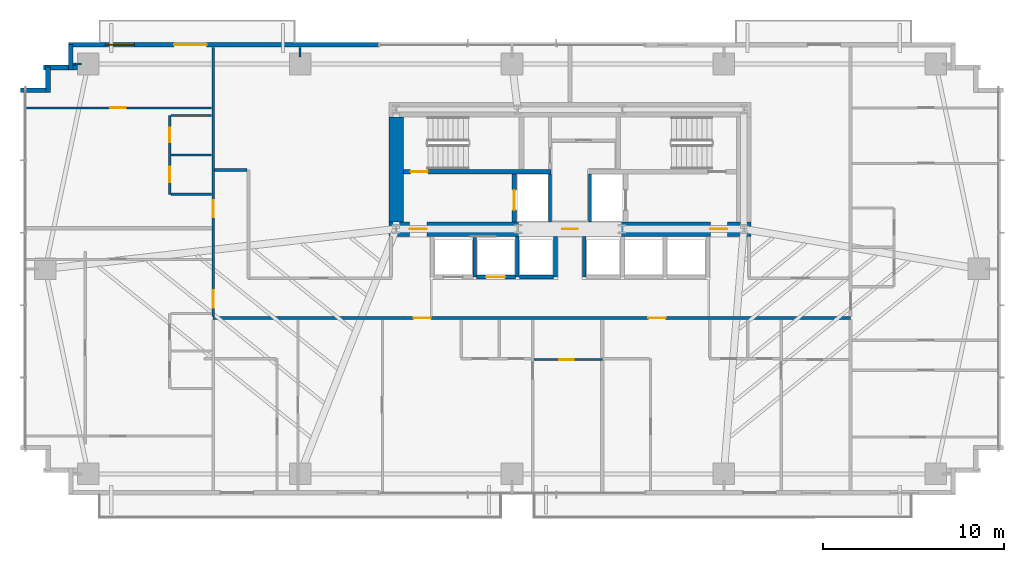
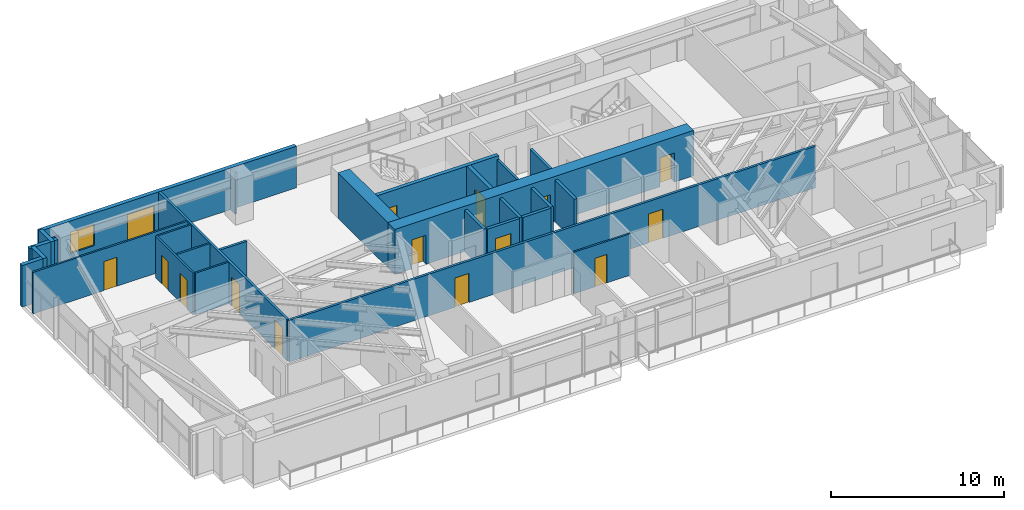
# One storey, part 20 of 25: 28 walls, 15 doors, 1 window, 16 openings.
"""IFC4 building model written with IfcOpenShell, lengths in metres."""

from ifc_helpers import new_model, si_unit, direction, frame, frame_2d, origin, place, context, subcontext, project, spatial, rectangle, extrude, source, transform, mapped, material, layer, layer_set, type_object, type_shapes, element, fill, save


model = new_model("IFC4")

# Units and contexts
model_context = context("Model", 3, precision=1e-05, world=origin(), true_north=direction((0.0, 1.0)))
body_context = subcontext(model_context, "Body", "Model", "MODEL_VIEW")
ifc_project = project(units=[si_unit("LENGTHUNIT", "METRE"), si_unit("AREAUNIT", "SQUARE_METRE"), si_unit("VOLUMEUNIT", "CUBIC_METRE"), si_unit("PLANEANGLEUNIT", "RADIAN"), si_unit("MASSUNIT", "GRAM", prefix="KILO")], contexts=[model_context])

# Site, building, storey
site_placement = place(None, origin())
site = spatial("IfcSite", under=ifc_project, at=site_placement, CompositionType="ELEMENT")
building_placement = place(site_placement, origin())
building = spatial("IfcBuilding", under=site, at=building_placement, Name="Astriad Promenade Condominiums", CompositionType="ELEMENT")
storey_placement = place(building_placement, frame((0.0, 0.0, 35.800048828125)))
storey = spatial("IfcBuildingStorey", under=building, at=storey_placement, Name="L09", CompositionType="ELEMENT", Elevation=35.800048828125)

# Wall, openings, doors
ifc_material_1 = material(Name="Concrete C80/95", Category="concrete")
ifc_layer_1 = layer(ifc_material_1, 0.800048828125)
ifc_layer_set_1 = layer_set([ifc_layer_1], Name="Concrete C80/95")
wall_type_1 = type_object("IfcWallType", Name="CW-SHEAR-800", PredefinedType="SHEAR", material=ifc_layer_set_1)
wall_1_placement = place(storey_placement, frame((26.0, 17.39990234375, 0.0), z_axis=(0.0, 0.0, 1.0), x_axis=(1.0, 0.0, 0.0)))
wall_1 = element("IfcWall", 1, at=wall_1_placement, inside=storey, type_object=wall_type_1, Name="CW-CORE-S-L09", PredefinedType="SHEAR", context=body_context, shape_type="SweptSolid", body=[
    extrude(rectangle(XDim=20.0, YDim=0.800048828125, at=frame_2d((10.0, 0.0))), origin(), (0.0, 0.0, 1.0), 3.199951171875),
])
opening_1_placement = place(wall_1_placement, frame((1.14990234375, 0.0, 0.0)))
opening_1 = element("IfcOpeningElement", 2, at=opening_1_placement, cuts=wall_1, Name="Opening FD90-ST-095", PredefinedType="OPENING", context=body_context, shape_type="SweptSolid", body=[
    extrude(rectangle(XDim=0.949951171875, YDim=2.06005859375, at=frame_2d((0.47509765625, 1.030029296875))), frame((0.0, 0.409912109375, 0.0), z_axis=(0.0, -1.0, 0.0), x_axis=(1.0, 0.0, 0.0)), (0.0, 0.0, 1.0), 0.820068359375),
])
opening_2_placement = place(wall_1_placement, frame((9.580078125, 0.0, 0.0)))
opening_2 = element("IfcOpeningElement", 3, at=opening_2_placement, cuts=wall_1, Name="Opening FD60-ULOW-085", PredefinedType="OPENING", context=body_context, shape_type="SweptSolid", body=[
    extrude(rectangle(XDim=0.85009765625, YDim=2.0, at=frame_2d((0.425048828125, 1.0))), frame((0.0, 0.409912109375, 0.0), z_axis=(0.0, -1.0, 0.0), x_axis=(1.0, 0.0, 0.0)), (0.0, 0.0, 1.0), 0.820068359375),
])
opening_3_placement = place(wall_1_placement, frame((17.75, 0.0, 0.0)))
opening_3 = element("IfcOpeningElement", 4, at=opening_3_placement, cuts=wall_1, Name="Opening FD90-ST-095", PredefinedType="OPENING", context=body_context, shape_type="SweptSolid", body=[
    extrude(rectangle(XDim=0.949951171875, YDim=2.06005859375, at=frame_2d((0.47509765625, 1.030029296875))), frame((0.0, 0.409912109375, 0.0), z_axis=(0.0, -1.0, 0.0), x_axis=(1.0, 0.0, 0.0)), (0.0, 0.0, 1.0), 0.820068359375),
])
ifc_material_2 = material(Name="Fire-Rated Hollow Metal Stair Door")
door_type_1 = type_object("IfcDoorType", Name="FD90-ST-095", OperationType="NOTDEFINED", PredefinedType="DOOR", material=ifc_material_2)
shared_shape_1 = source(origin(), body_context, "Body", "SweptSolid", [
    extrude(rectangle(XDim=0.949951171875, YDim=2.06005859375, at=frame_2d((0.47509765625, 1.030029296875))), frame((0.0, 0.02490234375, 0.0), z_axis=(0.0, -1.0, 0.0), x_axis=(1.0, 0.0, 0.0)), (0.0, 0.0, 1.0), 0.050048828125),
])
type_shapes(door_type_1, [shared_shape_1])
door_1_placement = place(opening_1_placement, origin())
door_1 = element("IfcDoor", 5, at=door_1_placement, inside=storey, type_object=door_type_1, Name="D-FFW-L09", OperationType="SINGLE_SWING_LEFT", OverallHeight=2.06005859375, OverallWidth=0.949951171875, PredefinedType="DOOR", context=body_context, shape_type="MappedRepresentation", body=[
    mapped(shared_shape_1, transform((0.0, 0.0, 0.0), scale=1.0)),
])
fill(opening_1, door_1)
door_2_placement = place(opening_3_placement, origin())
door_2 = element("IfcDoor", 6, at=door_2_placement, inside=storey, type_object=door_type_1, Name="D-FFE-L09", OperationType="SINGLE_SWING_RIGHT", OverallHeight=2.06005859375, OverallWidth=0.949951171875, PredefinedType="DOOR", context=body_context, shape_type="MappedRepresentation", body=[
    mapped(shared_shape_1, transform((0.0, 0.0, 0.0), scale=1.0)),
])
fill(opening_3, door_2)
ifc_material_3 = material(Name="Solid-Core Low-Headroom Fire Door")
door_type_2 = type_object("IfcDoorType", Name="FD60-ULOW-085", OperationType="NOTDEFINED", PredefinedType="DOOR", material=ifc_material_3)
shared_shape_2 = source(origin(), body_context, "Body", "SweptSolid", [
    extrude(rectangle(XDim=0.85009765625, YDim=2.0, at=frame_2d((0.425048828125, 1.0))), frame((0.0, 0.02490234375, 0.0), z_axis=(0.0, -1.0, 0.0), x_axis=(1.0, 0.0, 0.0)), (0.0, 0.0, 1.0), 0.050048828125),
])
type_shapes(door_type_2, [shared_shape_2])
door_3_placement = place(opening_2_placement, origin())
door_3 = element("IfcDoor", 7, at=door_3_placement, inside=storey, type_object=door_type_2, Name="D-CSL-L09", OperationType="SINGLE_SWING_RIGHT", OverallHeight=2.0, OverallWidth=0.85009765625, PredefinedType="DOOR", context=body_context, shape_type="MappedRepresentation", body=[
    mapped(shared_shape_2, transform((0.0, 0.0, 0.0), scale=1.0)),
])
fill(opening_2, door_3)

# Wall
wall_2_placement = place(storey_placement, frame((26.39990234375, 17.802001953125, 0.0), z_axis=(0.0, 0.0, 1.0), x_axis=(0.0, 1.0, 0.0)))
element("IfcWall", 8, at=wall_2_placement, inside=storey, type_object=wall_type_1, Name="CW-CORE-W-L09", PredefinedType="SHEAR", context=body_context, shape_type="SweptSolid", body=[
    extrude(rectangle(XDim=5.7958984375, YDim=0.800048828125, at=frame_2d((2.89794921875, 0.0))), origin(), (0.0, 0.0, 1.0), 3.199951171875),
])

# Wall, opening, door
ifc_material_4 = material(Name="Concrete C50/60", Category="concrete")
ifc_layer_2 = layer(ifc_material_4, 0.25)
ifc_layer_set_2 = layer_set([ifc_layer_2], Name="Concrete C50/60")
wall_type_2 = type_object("IfcWallType", Name="WALL-CORE-INT-250", PredefinedType="SOLIDWALL", material=ifc_layer_set_2)
wall_3_placement = place(storey_placement, frame((26.802001953125, 20.574951171875, 0.0), z_axis=(0.0, 0.0, 1.0), x_axis=(1.0, 0.0, 0.0)))
wall_3 = element("IfcWall", 9, at=wall_3_placement, inside=storey, type_object=wall_type_2, Name="CW-INT-H1-L09", PredefinedType="SOLIDWALL", context=body_context, shape_type="SweptSolid", body=[
    extrude(rectangle(XDim=8.14794921875, YDim=0.25, at=frame_2d((4.073974609375, 0.0))), origin(), (0.0, 0.0, 1.0), 3.199951171875),
])
opening_4_placement = place(wall_3_placement, frame((0.39794921875, 0.0, 0.0)))
opening_4 = element("IfcOpeningElement", 10, at=opening_4_placement, cuts=wall_3, Name="Opening FD90-ST-095", PredefinedType="OPENING", context=body_context, shape_type="SweptSolid", body=[
    extrude(rectangle(XDim=0.949951171875, YDim=2.06005859375, at=frame_2d((0.47509765625, 1.030029296875))), frame((0.0, 0.135009765625, 0.0), z_axis=(0.0, -1.0, 0.0), x_axis=(1.0, 0.0, 0.0)), (0.0, 0.0, 1.0), 0.27001953125),
])
door_4_placement = place(opening_4_placement, origin())
door_4 = element("IfcDoor", 11, at=door_4_placement, inside=storey, type_object=door_type_1, Name="D-ST1-L09", OperationType="SINGLE_SWING_LEFT", OverallHeight=2.06005859375, OverallWidth=0.949951171875, PredefinedType="DOOR", context=body_context, shape_type="MappedRepresentation", body=[
    mapped(shared_shape_1, transform((0.0, 0.0, 0.0), scale=1.0)),
])
fill(opening_4, door_4)

wall_4_placement = place(storey_placement, frame((32.925048828125, 17.802001953125, 0.0), z_axis=(0.0, 0.0, 1.0), x_axis=(0.0, 1.0, 0.0)))
wall_4 = element("IfcWall", 12, at=wall_4_placement, inside=storey, type_object=wall_type_2, Name="CW-FFL1-W-L09", PredefinedType="SOLIDWALL", context=body_context, shape_type="SweptSolid", body=[
    extrude(rectangle(XDim=2.64599609375, YDim=0.25, at=frame_2d((1.322998046875, 0.0))), origin(), (0.0, 0.0, 1.0), 3.199951171875),
])
opening_5_placement = place(wall_4_placement, frame((0.64794921875, 0.0, 0.0)))
opening_5 = element("IfcOpeningElement", 13, at=opening_5_placement, cuts=wall_4, Name="Opening LD-FFL-1122", PredefinedType="OPENING", context=body_context, shape_type="SweptSolid", body=[
    extrude(rectangle(XDim=1.10009765625, YDim=2.080078125, at=frame_2d((0.550048828125, 1.0400390625))), frame((0.0, 0.135009765625, 0.0), z_axis=(0.0, -1.0, 0.0), x_axis=(1.0, 0.0, 0.0)), (0.0, 0.0, 1.0), 0.27001953125),
])
ifc_material_5 = material(Name="Brushed Stainless Steel Fire Elevator Landing Door", Category="steel")
door_type_3 = type_object("IfcDoorType", Name="LD-FFL-1122", OperationType="NOTDEFINED", PredefinedType="DOOR", material=ifc_material_5)
shared_shape_3 = source(origin(), body_context, "Body", "SweptSolid", [
    extrude(rectangle(XDim=1.10009765625, YDim=2.080078125, at=frame_2d((0.550048828125, 1.0400390625))), frame((0.0, 0.02490234375, 0.0), z_axis=(0.0, -1.0, 0.0), x_axis=(1.0, 0.0, 0.0)), (0.0, 0.0, 1.0), 0.050048828125),
])
type_shapes(door_type_3, [shared_shape_3])
door_5_placement = place(opening_5_placement, origin())
door_5 = element("IfcDoor", 14, at=door_5_placement, inside=storey, type_object=door_type_3, Name="Elevator Landing Door FFL-1 (L09)", OperationType="SLIDING_TO_LEFT", OverallHeight=2.080078125, OverallWidth=1.10009765625, PredefinedType="DOOR", context=body_context, shape_type="MappedRepresentation", body=[
    mapped(shared_shape_3, transform((0.0, 0.0, 0.0), scale=1.0)),
])
fill(opening_5, door_5)

# Walls
ifc_material_6 = material(Name="Fire-Rated Gypsum Partition")
ifc_layer_3 = layer(ifc_material_6, 0.159912109375)
ifc_layer_set_3 = layer_set([ifc_layer_3], Name="Fire-Rated Gypsum Partition")
wall_type_3 = type_object("IfcWallType", Name="WALL-CORR-160", PredefinedType="PARTITIONING", material=ifc_layer_set_3)
for number, where, z_axis, x_axis, name in (
    (15, (34.89990234375, 17.802001953125, 0.0), (0.0, 0.0, 1.0), (0.0, 1.0, 0.0), "CW-FFL1-E-L09"),
    (16, (37.10009765625, 17.802001953125, 0.0), (0.0, 0.0, 1.0), (0.0, 1.0, 0.0), "CW-FFL2-W-L09"),
):
    element("IfcWall", number, at=place(storey_placement, frame(where, z_axis=z_axis, x_axis=x_axis)), inside=storey, type_object=wall_type_3, Name=name, PredefinedType="PARTITIONING", context=body_context, shape_type="SweptSolid", body=[
        extrude(rectangle(XDim=2.64599609375, YDim=0.159912109375, at=frame_2d((1.322998046875, 0.0))), origin(), (0.0, 0.0, 1.0), 2.93994140625),
    ])

# Wall, openings, doors
wall_5_placement = place(storey_placement, frame((16.300048828125, 12.489990234375, 0.0), z_axis=(0.0, 0.0, 1.0), x_axis=(1.0, 0.0, 0.0)))
wall_5 = element("IfcWall", 17, at=wall_5_placement, inside=storey, type_object=wall_type_3, Name="PT-COR-S-L09", PredefinedType="PARTITIONING", context=body_context, shape_type="SweptSolid", body=[
    extrude(rectangle(XDim=35.199951171875, YDim=0.159912109375, at=frame_2d((17.60009765625, 0.0))), origin(), (0.0, 0.0, 1.0), 2.93994140625),
])
opening_6_placement = place(wall_5_placement, frame((11.072021484375, 0.0, 0.0)))
opening_6 = element("IfcOpeningElement", 18, at=opening_6_placement, cuts=wall_5, Name="Opening FD60-APT-095", PredefinedType="OPENING", context=body_context, shape_type="SweptSolid", body=[
    extrude(rectangle(XDim=0.949951171875, YDim=2.06005859375, at=frame_2d((0.47509765625, 1.030029296875))), frame((0.0, 0.08984375, 0.0), z_axis=(0.0, -1.0, 0.0), x_axis=(1.0, 0.0, 0.0)), (0.0, 0.0, 1.0), 0.179931640625),
])
opening_7_placement = place(wall_5_placement, frame((24.031982421875, 0.0, 0.0)))
opening_7 = element("IfcOpeningElement", 19, at=opening_7_placement, cuts=wall_5, Name="Opening FD60-APT-095", PredefinedType="OPENING", context=body_context, shape_type="SweptSolid", body=[
    extrude(rectangle(XDim=0.949951171875, YDim=2.06005859375, at=frame_2d((0.47509765625, 1.030029296875))), frame((0.0, 0.08984375, 0.0), z_axis=(0.0, -1.0, 0.0), x_axis=(1.0, 0.0, 0.0)), (0.0, 0.0, 1.0), 0.179931640625),
])
ifc_material_7 = material(Name="Solid-Core Acoustic Timber Residence Entry Door", Category="wood")
door_type_4 = type_object("IfcDoorType", Name="FD60-APT-095", OperationType="NOTDEFINED", PredefinedType="DOOR", material=ifc_material_7)
shared_shape_4 = source(origin(), body_context, "Body", "SweptSolid", [
    extrude(rectangle(XDim=0.949951171875, YDim=2.06005859375, at=frame_2d((0.47509765625, 1.030029296875))), frame((0.0, 0.02490234375, 0.0), z_axis=(0.0, -1.0, 0.0), x_axis=(1.0, 0.0, 0.0)), (0.0, 0.0, 1.0), 0.050048828125),
])
type_shapes(door_type_4, [shared_shape_4])
door_6_placement = place(opening_6_placement, origin())
door_6 = element("IfcDoor", 20, at=door_6_placement, inside=storey, type_object=door_type_4, Name="D-ENT-L09-S1", OperationType="SINGLE_SWING_LEFT", OverallHeight=2.06005859375, OverallWidth=0.949951171875, PredefinedType="DOOR", context=body_context, shape_type="MappedRepresentation", body=[
    mapped(shared_shape_4, transform((0.0, 0.0, 0.0), scale=1.0)),
])
fill(opening_6, door_6)
door_7_placement = place(opening_7_placement, origin())
door_7 = element("IfcDoor", 21, at=door_7_placement, inside=storey, type_object=door_type_4, Name="D-ENT-L09-S2", OperationType="SINGLE_SWING_LEFT", OverallHeight=2.06005859375, OverallWidth=0.949951171875, PredefinedType="DOOR", context=body_context, shape_type="MappedRepresentation", body=[
    mapped(shared_shape_4, transform((0.0, 0.0, 0.0), scale=1.0)),
])
fill(opening_7, door_7)

wall_6_placement = place(storey_placement, frame((16.300048828125, 12.572021484375, 0.0), z_axis=(0.0, 0.0, 1.0), x_axis=(0.0, 1.0, 0.0)))
wall_6 = element("IfcWall", 22, at=wall_6_placement, inside=storey, type_object=wall_type_3, Name="PT-COR-W-L09-S2", PredefinedType="PARTITIONING", context=body_context, shape_type="SweptSolid", body=[
    extrude(rectangle(XDim=14.865966796875, YDim=0.159912109375, at=frame_2d((7.43310546875, 0.0))), origin(), (0.0, 0.0, 1.0), 2.93994140625),
])
opening_8_placement = place(wall_6_placement, frame((0.492919921875, 0.0, 0.0)))
opening_8 = element("IfcOpeningElement", 23, at=opening_8_placement, cuts=wall_6, Name="Opening FD60-APT-095", PredefinedType="OPENING", context=body_context, shape_type="SweptSolid", body=[
    extrude(rectangle(XDim=0.949951171875, YDim=2.06005859375, at=frame_2d((0.47509765625, 1.030029296875))), frame((0.0, 0.08984375, 0.0), z_axis=(0.0, -1.0, 0.0), x_axis=(1.0, 0.0, 0.0)), (0.0, 0.0, 1.0), 0.179931640625),
])
opening_9_placement = place(wall_6_placement, frame((5.472900390625, 0.0, 0.0)))
opening_9 = element("IfcOpeningElement", 24, at=opening_9_placement, cuts=wall_6, Name="Opening FD60-APT-095", PredefinedType="OPENING", context=body_context, shape_type="SweptSolid", body=[
    extrude(rectangle(XDim=0.949951171875, YDim=2.06005859375, at=frame_2d((0.47509765625, 1.030029296875))), frame((0.0, 0.08984375, 0.0), z_axis=(0.0, -1.0, 0.0), x_axis=(1.0, 0.0, 0.0)), (0.0, 0.0, 1.0), 0.179931640625),
])
door_8_placement = place(opening_8_placement, origin())
door_8 = element("IfcDoor", 25, at=door_8_placement, inside=storey, type_object=door_type_4, Name="D-ENT-L09-W1", OperationType="SINGLE_SWING_LEFT", OverallHeight=2.06005859375, OverallWidth=0.949951171875, PredefinedType="DOOR", context=body_context, shape_type="MappedRepresentation", body=[
    mapped(shared_shape_4, transform((0.0, 0.0, 0.0), scale=1.0)),
])
fill(opening_8, door_8)
door_9_placement = place(opening_9_placement, origin())
door_9 = element("IfcDoor", 26, at=door_9_placement, inside=storey, type_object=door_type_4, Name="D-ENT-L09-W2", OperationType="SINGLE_SWING_LEFT", OverallHeight=2.06005859375, OverallWidth=0.949951171875, PredefinedType="DOOR", context=body_context, shape_type="MappedRepresentation", body=[
    mapped(shared_shape_4, transform((0.0, 0.0, 0.0), scale=1.0)),
])
fill(opening_9, door_9)

# Walls
wall_7_placement = place(storey_placement, frame((16.382080078125, 20.64990234375, 0.0), z_axis=(0.0, 0.0, 1.0), x_axis=(1.0, 0.0, 0.0)))
element("IfcWall", 27, at=wall_7_placement, inside=storey, type_object=wall_type_3, Name="PT-WALC-N-L09", PredefinedType="PARTITIONING", context=body_context, shape_type="SweptSolid", body=[
    extrude(rectangle(XDim=1.785888671875, YDim=0.159912109375, at=frame_2d((0.89306640625, 0.0))), origin(), (0.0, 0.0, 1.0), 2.93994140625),
])
ifc_material_8 = material(Name="Precast concrete C50/60", Category="concrete")
ifc_layer_4 = layer(ifc_material_8, 0.260009765625)
ifc_layer_set_4 = layer_set([ifc_layer_4], Name="Precast concrete C50/60")
wall_type_4 = type_object("IfcWallType", Name="WALL-EXT-TWR-260", PredefinedType="STANDARD", material=ifc_layer_set_4)
for number, where, z_axis, x_axis, name in (
    (28, (5.669921875, 25.070068359375, 0.0), (0.0, 0.0, 1.0), (1.0, 0.0, 0.0), "W-SER-L09-04"),
    (29, (7.179931640625, 24.93994140625, 0.0), (0.0, 0.0, 1.0), (0.0, 1.0, 0.0), "W-SER-L09-05"),
):
    element("IfcWall", number, at=place(storey_placement, frame(where, z_axis=z_axis, x_axis=x_axis)), inside=storey, type_object=wall_type_4, Name=name, PredefinedType="STANDARD", context=body_context, shape_type="SweptSolid", body=[
        extrude(rectangle(XDim=1.39501953125, YDim=0.260009765625, at=frame_2d((0.697509765625, 0.0))), origin(), (0.0, 0.0, 1.0), 2.93994140625),
    ])
wall_8_placement = place(storey_placement, frame((6.919921875, 26.320068359375, 0.0), z_axis=(0.0, 0.0, 1.0), x_axis=(1.0, 0.0, 0.0)))
element("IfcWall", 30, at=wall_8_placement, inside=storey, type_object=wall_type_4, Name="W-SER-L09-06", PredefinedType="STANDARD", context=body_context, shape_type="SweptSolid", body=[
    extrude(rectangle(XDim=1.878173828125, YDim=0.260009765625, at=frame_2d((0.93896484375, 0.0))), origin(), (0.0, 0.0, 1.0), 2.93994140625),
])
wall_9_placement = place(storey_placement, frame((8.429931640625, 26.18994140625, 0.0), z_axis=(0.0, 0.0, 1.0), x_axis=(0.0, 1.0, 0.0)))
element("IfcWall", 31, at=wall_9_placement, inside=storey, type_object=wall_type_4, Name="W-SER-L09-07", PredefinedType="STANDARD", context=body_context, shape_type="SweptSolid", body=[
    extrude(rectangle(XDim=1.39501953125, YDim=0.260009765625, at=frame_2d((0.697509765625, 0.0))), origin(), (0.0, 0.0, 1.0), 2.93994140625),
])

# Wall, openings, door, window
wall_10_placement = place(storey_placement, frame((8.300048828125, 27.570068359375, 0.0), z_axis=(0.0, 0.0, 1.0), x_axis=(1.0, 0.0, 0.0)))
wall_10 = element("IfcWall", 32, at=wall_10_placement, inside=storey, type_object=wall_type_4, Name="W-EXT-L09-N1", PredefinedType="STANDARD", context=body_context, shape_type="SweptSolid", body=[
    extrude(rectangle(XDim=17.14990234375, YDim=0.260009765625, at=frame_2d((8.574951171875, 0.0))), origin(), (0.0, 0.0, 1.0), 2.93994140625),
])
opening_10_placement = place(wall_10_placement, frame((5.842041015625, 0.0, 0.0)))
opening_10 = element("IfcOpeningElement", 33, at=opening_10_placement, cuts=wall_10, Name="Opening BD-1822-SLD", PredefinedType="OPENING", context=body_context, shape_type="SweptSolid", body=[
    extrude(rectangle(XDim=1.800048828125, YDim=2.06005859375, at=frame_2d((0.89990234375, 1.030029296875))), frame((0.0, 0.139892578125, 0.0), z_axis=(0.0, -1.0, 0.0), x_axis=(1.0, 0.0, 0.0)), (0.0, 0.0, 1.0), 0.280029296875),
])
opening_11_placement = place(wall_10_placement, frame((2.050048828125, 0.0, 0.64990234375)))
opening_11 = element("IfcOpeningElement", 34, at=opening_11_placement, cuts=wall_10, Name="Opening WIN-TWR-1620", PredefinedType="OPENING", context=body_context, shape_type="SweptSolid", body=[
    extrude(rectangle(XDim=1.60009765625, YDim=1.5, at=frame_2d((0.800048828125, 0.75))), frame((0.0, 0.139892578125, 0.0), z_axis=(0.0, -1.0, 0.0), x_axis=(1.0, 0.0, 0.0)), (0.0, 0.0, 1.0), 0.280029296875),
])
ifc_material_9 = material(Name="Thermally Broken Aluminium Sliding Balcony Door", Category="aluminium")
door_type_5 = type_object("IfcDoorType", Name="BD-1822-SLD", OperationType="NOTDEFINED", PredefinedType="DOOR", material=ifc_material_9)
shared_shape_5 = source(origin(), body_context, "Body", "SweptSolid", [
    extrude(rectangle(XDim=1.800048828125, YDim=2.06005859375, at=frame_2d((0.89990234375, 1.030029296875))), frame((0.0, 0.02490234375, 0.0), z_axis=(0.0, -1.0, 0.0), x_axis=(1.0, 0.0, 0.0)), (0.0, 0.0, 1.0), 0.050048828125),
])
type_shapes(door_type_5, [shared_shape_5])
door_10_placement = place(opening_10_placement, origin())
door_10 = element("IfcDoor", 35, at=door_10_placement, inside=storey, type_object=door_type_5, Name="BD-L09-NW", OperationType="SLIDING_TO_LEFT", OverallHeight=2.06005859375, OverallWidth=1.800048828125, PredefinedType="DOOR", context=body_context, shape_type="MappedRepresentation", body=[
    mapped(shared_shape_5, transform((0.0, 0.0, 0.0), scale=1.0)),
])
fill(opening_10, door_10)
ifc_material_10 = material(Name="Dark Tinted Triple-Glazed Aluminium Window", Category="aluminium")
window_type = type_object("IfcWindowType", Name="WIN-TWR-1620", PartitioningType="SINGLE_PANEL", PredefinedType="WINDOW", material=ifc_material_10)
shared_shape_6 = source(origin(), body_context, "Body", "SweptSolid", [
    extrude(rectangle(XDim=1.60009765625, YDim=1.5, at=frame_2d((0.800048828125, 0.75))), frame((0.0, 0.030029296875, 0.0), z_axis=(0.0, -1.0, 0.0), x_axis=(1.0, 0.0, 0.0)), (0.0, 0.0, 1.0), 0.06005859375),
])
type_shapes(window_type, [shared_shape_6])
window_placement = place(opening_11_placement, origin())
window = element("IfcWindow", 36, at=window_placement, inside=storey, type_object=window_type, Name="WIN-L09-NW", OverallHeight=1.5, OverallWidth=1.60009765625, PartitioningType="SINGLE_PANEL", PredefinedType="WINDOW", context=body_context, shape_type="MappedRepresentation", body=[
    mapped(shared_shape_6, transform((0.0, 0.0, 0.0), scale=1.0)),
])
fill(opening_11, window)

# Wall, opening, door
ifc_material_11 = material(Name="Acoustic Metal-Stud Gypsum Partition")
ifc_layer_5 = layer(ifc_material_11, 0.1201171875)
ifc_layer_set_5 = layer_set([ifc_layer_5], Name="Acoustic Metal-Stud Gypsum Partition")
wall_type_5 = type_object("IfcWallType", Name="WALL-PART-120", PredefinedType="PARTITIONING", material=ifc_layer_set_5)
wall_11_placement = place(storey_placement, frame((34.006103515625, 10.18994140625, 0.0), z_axis=(0.0, 0.0, 1.0), x_axis=(1.0, 0.0, 0.0)))
wall_11 = element("IfcWall", 37, at=wall_11_placement, inside=storey, type_object=wall_type_5, Name="PT-L09-S1-ENS", PredefinedType="PARTITIONING", context=body_context, shape_type="SweptSolid", body=[
    extrude(rectangle(XDim=3.787841796875, YDim=0.1201171875, at=frame_2d((1.89404296875, 0.0))), origin(), (0.0, 0.0, 1.0), 2.93994140625),
])
opening_12_placement = place(wall_11_placement, frame((1.4130859375, 0.0, 0.0)))
opening_12 = element("IfcOpeningElement", 38, at=opening_12_placement, cuts=wall_11, Name="Opening D-WET-080", PredefinedType="OPENING", context=body_context, shape_type="SweptSolid", body=[
    extrude(rectangle(XDim=0.800048828125, YDim=2.02001953125, at=frame_2d((0.39990234375, 1.010009765625))), frame((0.0, 0.070068359375, 0.0), z_axis=(0.0, -1.0, 0.0), x_axis=(1.0, 0.0, 0.0)), (0.0, 0.0, 1.0), 0.14013671875),
])
ifc_material_12 = material(Name="Moisture-Resistant Timber Bathroom Door", Category="wood")
door_type_6 = type_object("IfcDoorType", Name="D-WET-080", OperationType="NOTDEFINED", PredefinedType="DOOR", material=ifc_material_12)
shared_shape_7 = source(origin(), body_context, "Body", "SweptSolid", [
    extrude(rectangle(XDim=0.800048828125, YDim=2.02001953125, at=frame_2d((0.39990234375, 1.010009765625))), frame((0.0, 0.02490234375, 0.0), z_axis=(0.0, -1.0, 0.0), x_axis=(1.0, 0.0, 0.0)), (0.0, 0.0, 1.0), 0.050048828125),
])
type_shapes(door_type_6, [shared_shape_7])
door_11_placement = place(opening_12_placement, origin())
door_11 = element("IfcDoor", 39, at=door_11_placement, inside=storey, type_object=door_type_6, Name="D-ENS-L09-S1", OperationType="SINGLE_SWING_LEFT", OverallHeight=2.02001953125, OverallWidth=0.800048828125, PredefinedType="DOOR", context=body_context, shape_type="MappedRepresentation", body=[
    mapped(shared_shape_7, transform((0.0, 0.0, 0.0), scale=1.0)),
])
fill(opening_12, door_11)

# Wall, openings, doors
wall_12_placement = place(storey_placement, frame((13.89990234375, 19.320068359375, 0.0), z_axis=(0.0, 0.0, 1.0), x_axis=(0.0, 1.0, 0.0)))
wall_12 = element("IfcWall", 40, at=wall_12_placement, inside=storey, type_object=wall_type_5, Name="PT-L09-W2-PV", PredefinedType="PARTITIONING", context=body_context, shape_type="SweptSolid", body=[
    extrude(rectangle(XDim=4.349853515625, YDim=0.1201171875, at=frame_2d((2.1748046875, 0.0))), origin(), (0.0, 0.0, 1.0), 2.93994140625),
])
opening_13_placement = place(wall_12_placement, frame((0.662109375, 0.0, 0.0)))
opening_13 = element("IfcOpeningElement", 41, at=opening_13_placement, cuts=wall_12, Name="Opening D-INT-085", PredefinedType="OPENING", context=body_context, shape_type="SweptSolid", body=[
    extrude(rectangle(XDim=0.85009765625, YDim=2.050048828125, at=frame_2d((0.425048828125, 1.02490234375))), frame((0.0, 0.070068359375, 0.0), z_axis=(0.0, -1.0, 0.0), x_axis=(1.0, 0.0, 0.0)), (0.0, 0.0, 1.0), 0.14013671875),
])
opening_14_placement = place(wall_12_placement, frame((2.863037109375, 0.0, 0.0)))
opening_14 = element("IfcOpeningElement", 42, at=opening_14_placement, cuts=wall_12, Name="Opening D-WET-080", PredefinedType="OPENING", context=body_context, shape_type="SweptSolid", body=[
    extrude(rectangle(XDim=0.800048828125, YDim=2.02001953125, at=frame_2d((0.39990234375, 1.010009765625))), frame((0.0, 0.070068359375, 0.0), z_axis=(0.0, -1.0, 0.0), x_axis=(1.0, 0.0, 0.0)), (0.0, 0.0, 1.0), 0.14013671875),
])
door_12_placement = place(opening_14_placement, origin())
door_12 = element("IfcDoor", 43, at=door_12_placement, inside=storey, type_object=door_type_6, Name="D-BTH-L09-W2", OperationType="SINGLE_SWING_LEFT", OverallHeight=2.02001953125, OverallWidth=0.800048828125, PredefinedType="DOOR", context=body_context, shape_type="MappedRepresentation", body=[
    mapped(shared_shape_7, transform((0.0, 0.0, 0.0), scale=1.0)),
])
fill(opening_14, door_12)
ifc_material_13 = material(Name="Painted Solid-Core Timber Room Door", Category="wood")
door_type_7 = type_object("IfcDoorType", Name="D-INT-085", OperationType="NOTDEFINED", PredefinedType="DOOR", material=ifc_material_13)
shared_shape_8 = source(origin(), body_context, "Body", "SweptSolid", [
    extrude(rectangle(XDim=0.85009765625, YDim=2.050048828125, at=frame_2d((0.425048828125, 1.02490234375))), frame((0.0, 0.02490234375, 0.0), z_axis=(0.0, -1.0, 0.0), x_axis=(1.0, 0.0, 0.0)), (0.0, 0.0, 1.0), 0.050048828125),
])
type_shapes(door_type_7, [shared_shape_8])
door_13_placement = place(opening_13_placement, origin())
door_13 = element("IfcDoor", 44, at=door_13_placement, inside=storey, type_object=door_type_7, Name="D-KIT-L09-W2", OperationType="SINGLE_SWING_RIGHT", OverallHeight=2.050048828125, OverallWidth=0.85009765625, PredefinedType="DOOR", context=body_context, shape_type="MappedRepresentation", body=[
    mapped(shared_shape_8, transform((0.0, 0.0, 0.0), scale=1.0)),
])
fill(opening_13, door_13)

# Walls
for number, where, z_axis, x_axis, name in (
    (45, (13.9619140625, 21.4951171875, 0.0), (0.0, 0.0, 1.0), (1.0, 0.0, 0.0), "PT-L09-W2-PM"),
    (46, (13.9619140625, 19.320068359375, 0.0), (0.0, 0.0, 1.0), (1.0, 0.0, 0.0), "PT-L09-W2-PS"),
    (47, (13.9619140625, 23.669921875, 0.0), (0.0, 0.0, 1.0), (1.0, 0.0, 0.0), "PT-L09-W2-PN"),
):
    element("IfcWall", number, at=place(storey_placement, frame(where, z_axis=z_axis, x_axis=x_axis)), inside=storey, type_object=wall_type_5, Name=name, PredefinedType="PARTITIONING", context=body_context, shape_type="SweptSolid", body=[
        extrude(rectangle(XDim=2.256103515625, YDim=0.1201171875, at=frame_2d((1.1279296875, 0.0))), origin(), (0.0, 0.0, 1.0), 2.93994140625),
    ])

# Wall, opening, door
wall_13_placement = place(storey_placement, frame((5.8798828125, 24.090087890625, 0.0), z_axis=(0.0, 0.0, 1.0), x_axis=(1.0, 0.0, 0.0)))
wall_13 = element("IfcWall", 48, at=wall_13_placement, inside=storey, type_object=wall_type_5, Name="PT-L09-W2-B1", PredefinedType="PARTITIONING", context=body_context, shape_type="SweptSolid", body=[
    extrude(rectangle(XDim=10.338134765625, YDim=0.1201171875, at=frame_2d((5.1689453125, 0.0))), origin(), (0.0, 0.0, 1.0), 2.93994140625),
])
opening_15_placement = place(wall_13_placement, frame((4.735107421875, 0.0, 0.0)))
opening_15 = element("IfcOpeningElement", 49, at=opening_15_placement, cuts=wall_13, Name="Opening D-INT-085", PredefinedType="OPENING", context=body_context, shape_type="SweptSolid", body=[
    extrude(rectangle(XDim=0.85009765625, YDim=2.050048828125, at=frame_2d((0.425048828125, 1.02490234375))), frame((0.0, 0.070068359375, 0.0), z_axis=(0.0, -1.0, 0.0), x_axis=(1.0, 0.0, 0.0)), (0.0, 0.0, 1.0), 0.14013671875),
])
door_14_placement = place(opening_15_placement, origin())
door_14 = element("IfcDoor", 50, at=door_14_placement, inside=storey, type_object=door_type_7, Name="D-BD1-L09-W2", OperationType="SINGLE_SWING_RIGHT", OverallHeight=2.050048828125, OverallWidth=0.85009765625, PredefinedType="DOOR", context=body_context, shape_type="MappedRepresentation", body=[
    mapped(shared_shape_8, transform((0.0, 0.0, 0.0), scale=1.0)),
])
fill(opening_15, door_14)

# Walls
wall_14_placement = place(storey_placement, frame((9.02001953125, 26.52001953125, 0.0), z_axis=(0.0, 0.0, 1.0), x_axis=(-1.0, 0.0, 0.0)))
element("IfcWall", 51, at=wall_14_placement, inside=storey, type_object=wall_type_5, Name="PT-PIL-L09-PC06-13", PredefinedType="PARTITIONING", context=body_context, shape_type="SweptSolid", body=[
    extrude(rectangle(XDim=0.4580078125, YDim=0.1201171875, at=frame_2d((0.22900390625, 0.0))), origin(), (0.0, 0.0, 1.0), 2.93994140625),
])
wall_15_placement = place(storey_placement, frame((21.10009765625, 26.89990234375, 0.0), z_axis=(0.0, 0.0, 1.0), x_axis=(0.0, 1.0, 0.0)))
element("IfcWall", 52, at=wall_15_placement, inside=storey, type_object=wall_type_5, Name="PT-PIL-L09-PC07-14", PredefinedType="PARTITIONING", context=body_context, shape_type="SweptSolid", body=[
    extrude(rectangle(XDim=0.5380859375, YDim=0.1201171875, at=frame_2d((0.26904296875, 0.0))), origin(), (0.0, 0.0, 1.0), 2.93994140625),
])
ifc_material_14 = material(Name="Gypsum Shaftliner Assembly")
ifc_layer_6 = layer(ifc_material_14, 0.199951171875)
ifc_layer_set_6 = layer_set([ifc_layer_6], Name="Gypsum Shaftliner Assembly")
wall_type_6 = type_object("IfcWallType", Name="WALL-SHAFT-200", PredefinedType="PARTITIONING", material=ifc_layer_set_6)
for number, where, z_axis, x_axis, name in (
    (53, (30.75, 14.75, 0.0), (0.0, 0.0, 1.0), (0.0, 1.0, 0.0), "PL-L-DIV-L09"),
    (54, (33.10009765625, 14.75, 0.0), (0.0, 0.0, 1.0), (0.0, 1.0, 0.0), "PL-LM-DIV-L09"),
):
    element("IfcWall", number, at=place(storey_placement, frame(where, z_axis=z_axis, x_axis=x_axis)), inside=storey, type_object=wall_type_6, Name=name, PredefinedType="PARTITIONING", context=body_context, shape_type="SweptSolid", body=[
        extrude(rectangle(XDim=2.248046875, YDim=0.199951171875, at=frame_2d((1.1240234375, 0.0))), origin(), (0.0, 0.0, 1.0), 2.93994140625),
    ])

# Wall, opening, door
wall_16_placement = place(storey_placement, frame((30.85205078125, 14.75, 0.0), z_axis=(0.0, 0.0, 1.0), x_axis=(1.0, 0.0, 0.0)))
wall_16 = element("IfcWall", 55, at=wall_16_placement, inside=storey, type_object=wall_type_6, Name="PL-L-FRT-L09-S2", PredefinedType="PARTITIONING", context=body_context, shape_type="SweptSolid", body=[
    extrude(rectangle(XDim=2.14599609375, YDim=0.199951171875, at=frame_2d((1.072998046875, 0.0))), origin(), (0.0, 0.0, 1.0), 2.93994140625),
])
opening_16_placement = place(wall_16_placement, frame((0.52294921875, 0.0, 0.0)))
opening_16 = element("IfcOpeningElement", 56, at=opening_16_placement, cuts=wall_16, Name="Opening LD-PL-10522", PredefinedType="OPENING", context=body_context, shape_type="SweptSolid", body=[
    extrude(rectangle(XDim=1.050048828125, YDim=2.080078125, at=frame_2d((0.52490234375, 1.0400390625))), frame((0.0, 0.10986328125, 0.0), z_axis=(0.0, -1.0, 0.0), x_axis=(1.0, 0.0, 0.0)), (0.0, 0.0, 1.0), 0.219970703125),
])
ifc_material_15 = material(Name="Brushed Bronze Passenger Elevator Landing Door")
door_type_8 = type_object("IfcDoorType", Name="LD-PL-10522", OperationType="NOTDEFINED", PredefinedType="DOOR", material=ifc_material_15)
shared_shape_9 = source(origin(), body_context, "Body", "SweptSolid", [
    extrude(rectangle(XDim=1.050048828125, YDim=2.080078125, at=frame_2d((0.52490234375, 1.0400390625))), frame((0.0, 0.02490234375, 0.0), z_axis=(0.0, -1.0, 0.0), x_axis=(1.0, 0.0, 0.0)), (0.0, 0.0, 1.0), 0.050048828125),
])
type_shapes(door_type_8, [shared_shape_9])
door_15_placement = place(opening_16_placement, origin())
door_15 = element("IfcDoor", 57, at=door_15_placement, inside=storey, type_object=door_type_8, Name="Elevator Landing Door PL-L2 (L09)", OperationType="SLIDING_TO_RIGHT", OverallHeight=2.080078125, OverallWidth=1.050048828125, PredefinedType="DOOR", context=body_context, shape_type="MappedRepresentation", body=[
    mapped(shared_shape_9, transform((0.0, 0.0, 0.0), scale=1.0)),
])
fill(opening_16, door_15)

# Walls
wall_17_placement = place(storey_placement, frame((35.199951171875, 14.75, 0.0), z_axis=(0.0, 0.0, 1.0), x_axis=(0.0, 1.0, 0.0)))
element("IfcWall", 58, at=wall_17_placement, inside=storey, type_object=wall_type_6, Name="PL-M1-E-L09", PredefinedType="PARTITIONING", context=body_context, shape_type="SweptSolid", body=[
    extrude(rectangle(XDim=2.248046875, YDim=0.199951171875, at=frame_2d((1.1240234375, 0.0))), origin(), (0.0, 0.0, 1.0), 2.93994140625),
])
wall_18_placement = place(storey_placement, frame((33.201904296875, 14.75, 0.0), z_axis=(0.0, 0.0, 1.0), x_axis=(1.0, 0.0, 0.0)))
element("IfcWall", 59, at=wall_18_placement, inside=storey, type_object=wall_type_6, Name="PL-M1-F-L09", PredefinedType="PARTITIONING", context=body_context, shape_type="SweptSolid", body=[
    extrude(rectangle(XDim=1.89599609375, YDim=0.199951171875, at=frame_2d((0.947998046875, 0.0))), origin(), (0.0, 0.0, 1.0), 2.93994140625),
])
wall_19_placement = place(storey_placement, frame((36.800048828125, 14.75, 0.0), z_axis=(0.0, 0.0, 1.0), x_axis=(0.0, 1.0, 0.0)))
element("IfcWall", 60, at=wall_19_placement, inside=storey, type_object=wall_type_6, Name="PL-M2-W-L09", PredefinedType="PARTITIONING", context=body_context, shape_type="SweptSolid", body=[
    extrude(rectangle(XDim=2.248046875, YDim=0.199951171875, at=frame_2d((1.1240234375, 0.0))), origin(), (0.0, 0.0, 1.0), 2.93994140625),
])

save(model, "model.ifc")
